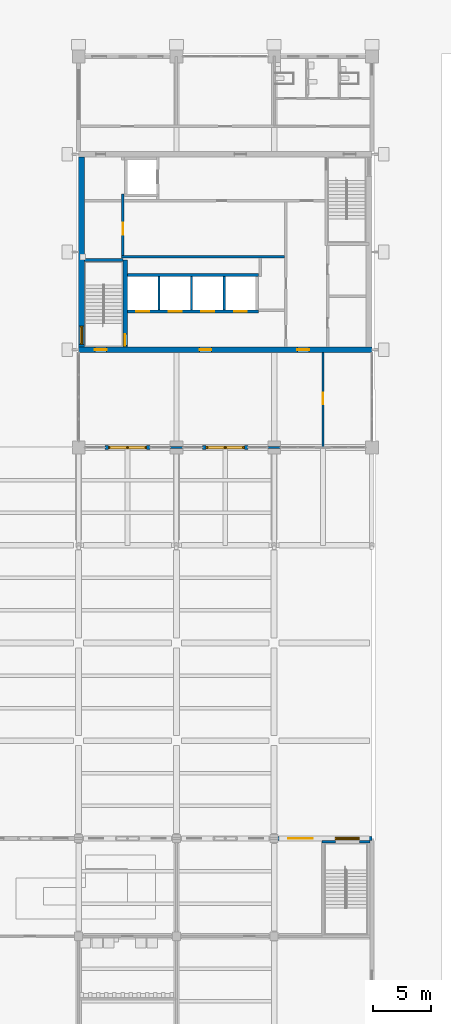
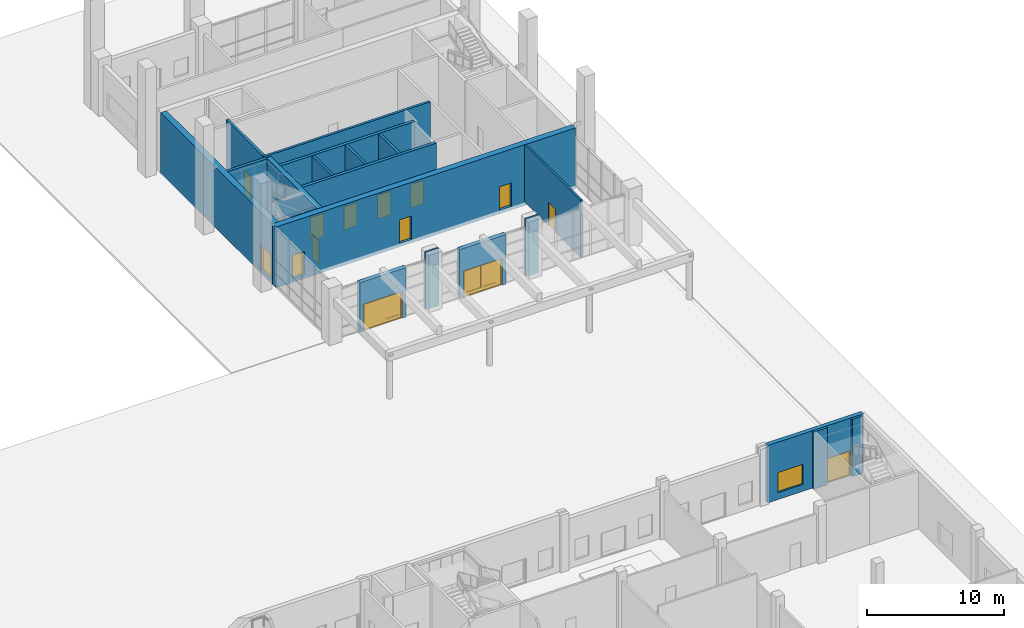
# One storey, part 38 of 74: 19 walls, 14 doors, 1 window, 15 openings.
"""IFC4 building model written with IfcOpenShell, lengths in metres."""

from ifc_helpers import new_model, si_unit, direction, frame, frame_2d, origin, place, context, subcontext, project, spatial, rectangle, extrude, material, layer, layer_set, type_object, element, fill, save


model = new_model("IFC4")

# Units and contexts
model_context = context("Model", 3, precision=1e-05, world=origin(), true_north=direction((0.0, 1.0)))
body_context = subcontext(model_context, "Body", "Model", "MODEL_VIEW")
ifc_project = project(units=[si_unit("LENGTHUNIT", "METRE"), si_unit("AREAUNIT", "SQUARE_METRE"), si_unit("VOLUMEUNIT", "CUBIC_METRE"), si_unit("PLANEANGLEUNIT", "RADIAN"), si_unit("MASSUNIT", "GRAM", prefix="KILO")], contexts=[model_context])

# Site, building, storey
site_placement = place(None, origin())
site = spatial("IfcSite", under=ifc_project, at=site_placement, CompositionType="ELEMENT")
building_placement = place(site_placement, origin())
building = spatial("IfcBuilding", under=site, at=building_placement, Name="Rulbaag Community and Learning Centre", CompositionType="ELEMENT")
storey_placement = place(building_placement, origin())
storey = spatial("IfcBuildingStorey", under=building, at=storey_placement, Name="L00", CompositionType="ELEMENT", Elevation=0.0)

# Wall, openings, door, window
ifc_material_1 = material(Name="Concrete M40", Category="concrete")
ifc_layer_1 = layer(ifc_material_1, 0.35009765625)
ifc_layer_set_1 = layer_set([ifc_layer_1], Name="EW-CONC350")
wall_type_1 = type_object("IfcWallType", Name="EW-CONC350", PredefinedType="STANDARD", material=ifc_layer_set_1)
wall_1_placement = place(storey_placement, frame((159.949951171875, 50.39990234375, 0.0), z_axis=(0.0, 0.0, 1.0), x_axis=(1.0, 0.0, 0.0)))
wall_1 = element("IfcWall", 1, at=wall_1_placement, inside=storey, type_object=wall_type_1, Name="Board-marked concrete cladding wall AN", PredefinedType="STANDARD", context=body_context, shape_type="SweptSolid", body=[
    extrude(rectangle(XDim=8.050048828125, YDim=0.35009765625, at=frame_2d((4.02490234375, 0.0))), origin(), (0.0, 0.0, 1.0), 5.10009765625),
])
opening_1_placement = place(wall_1_placement, frame((4.89990234375, 0.0, 0.0)))
opening_1 = element("IfcOpeningElement", 2, at=opening_1_placement, cuts=wall_1, Name="Opening L00-D197", PredefinedType="OPENING", context=body_context, shape_type="SweptSolid", body=[
    extrude(rectangle(XDim=2.10009765625, YDim=2.199951171875, at=frame_2d((1.050048828125, 1.10009765625))), frame((0.0, 0.18505859375, 0.0), z_axis=(0.0, -1.0, 0.0), x_axis=(1.0, 0.0, 0.0)), (0.0, 0.0, 1.0), 0.3701171875),
])
opening_2_placement = place(wall_1_placement, frame((0.875, 0.0, 0.60009765625)))
opening_2 = element("IfcOpeningElement", 3, at=opening_2_placement, cuts=wall_1, Name="Opening WN10", PredefinedType="OPENING", context=body_context, shape_type="SweptSolid", body=[
    extrude(rectangle(XDim=2.10009765625, YDim=1.800048828125, at=frame_2d((1.050048828125, 0.89990234375))), frame((0.0, 0.18505859375, 0.0), z_axis=(0.0, -1.0, 0.0), x_axis=(1.0, 0.0, 0.0)), (0.0, 0.0, 1.0), 0.3701171875),
])
ifc_material_2 = material(Name="Galvanised steel", Category="steel")
door_type_1 = type_object("IfcDoorType", Name="DX-21", OperationType="DOUBLE_DOOR_SINGLE_SWING", PredefinedType="DOOR", material=ifc_material_2)
door_1_placement = place(opening_1_placement, origin())
door_1 = element("IfcDoor", 4, at=door_1_placement, inside=storey, type_object=door_type_1, Name="Final exit G17", OperationType="SINGLE_SWING_LEFT", OverallHeight=2.199951171875, OverallWidth=2.10009765625, PredefinedType="DOOR", context=body_context, shape_type="SweptSolid", body=[
    extrude(rectangle(XDim=2.10009765625, YDim=0.012939453125, at=frame_2d((1.050048828125, 0.006591796875))), frame((0.0, 0.114990234375, 0.0), z_axis=(0.0, -1.0, 0.0), x_axis=(1.0, 0.0, 0.0)), (0.0, 0.0, 1.0), 0.22998046875),
    extrude(rectangle(XDim=0.074951171875, YDim=2.112060546875, at=frame_2d((0.03759765625, 1.069091796875))), frame((0.0, 0.125, 0.0), z_axis=(0.0, -1.0, 0.0), x_axis=(1.0, 0.0, 0.0)), (0.0, 0.0, 1.0), 0.25),
    extrude(rectangle(XDim=0.074951171875, YDim=2.112060546875, at=frame_2d((2.0625, 1.069091796875))), frame((0.0, 0.125, 0.0), z_axis=(0.0, -1.0, 0.0), x_axis=(1.0, 0.0, 0.0)), (0.0, 0.0, 1.0), 0.25),
    extrude(rectangle(XDim=2.10009765625, YDim=0.074951171875, at=frame_2d((1.050048828125, 2.16259765625))), frame((0.0, 0.114990234375, 0.0), z_axis=(0.0, -1.0, 0.0), x_axis=(1.0, 0.0, 0.0)), (0.0, 0.0, 1.0), 0.22998046875),
    extrude(rectangle(XDim=1.9501953125, YDim=2.112060546875, at=frame_2d((1.050048828125, 1.069091796875))), frame((0.0, 0.02490234375, 0.0), z_axis=(0.0, -1.0, 0.0), x_axis=(1.0, 0.0, 0.0)), (0.0, 0.0, 1.0), 0.050048828125),
])
fill(opening_1, door_1)
ifc_material_3 = material(Name="Aluminium", Category="aluminium")
window_type = type_object("IfcWindowType", Name="WN-N21", PartitioningType="DOUBLE_PANEL_VERTICAL", PredefinedType="WINDOW", material=ifc_material_3)
window_placement = place(opening_2_placement, origin())
window = element("IfcWindow", 5, at=window_placement, inside=storey, type_object=window_type, Name="Window WN10", OverallHeight=1.800048828125, OverallWidth=2.10009765625, PartitioningType="SINGLE_PANEL", PredefinedType="WINDOW", context=body_context, shape_type="SweptSolid", body=[
    extrude(rectangle(XDim=2.10009765625, YDim=1.800048828125, at=frame_2d((1.050048828125, 0.89990234375))), frame((0.0, 0.030029296875, 0.0), z_axis=(0.0, -1.0, 0.0), x_axis=(1.0, 0.0, 0.0)), (0.0, 0.0, 1.0), 0.06005859375),
])
fill(opening_2, window)

# Wall, opening, door
ifc_layer_2 = layer(ifc_material_1, 0.35009765625)
ifc_layer_set_2 = layer_set([ifc_layer_2], Name="EW-CONC350-120")
wall_type_2 = type_object("IfcWallType", Name="EW-CONC350-120", PredefinedType="STANDARD", material=ifc_layer_set_2)
wall_2_placement = place(storey_placement, frame((145.050048828125, 84.0, 0.0), z_axis=(0.0, 0.0, 1.0), x_axis=(1.0, 0.0, 0.0)))
wall_2 = element("IfcWall", 6, at=wall_2_placement, inside=storey, type_object=wall_type_2, Name="Board-marked concrete cladding wall BS", PredefinedType="STANDARD", context=body_context, shape_type="SweptSolid", body=[
    extrude(rectangle(XDim=3.89990234375, YDim=0.35009765625, at=frame_2d((1.949951171875, 0.0))), origin(), (0.0, 0.0, 1.0), 4.39990234375),
])
opening_3_placement = place(wall_2_placement, frame((3.60009765625, 0.0, 0.0), z_axis=(0.0, 0.0, 1.0), x_axis=(-1.0, 0.0, 0.0)))
opening_3 = element("IfcOpeningElement", 7, at=opening_3_placement, cuts=wall_2, Name="Opening L00-D135", PredefinedType="OPENING", context=body_context, shape_type="SweptSolid", body=[
    extrude(rectangle(XDim=3.300048828125, YDim=2.39990234375, at=frame_2d((1.64990234375, 1.199951171875))), frame((0.0, 0.18505859375, 0.0), z_axis=(0.0, -1.0, 0.0), x_axis=(1.0, 0.0, 0.0)), (0.0, 0.0, 1.0), 0.3701171875),
])
door_type_2 = type_object("IfcDoorType", Name="DE-33", OperationType="DOUBLE_DOOR_SINGLE_SWING", PredefinedType="DOOR", material=ifc_material_3)
door_2_placement = place(opening_3_placement, origin())
door_2 = element("IfcDoor", 8, at=door_2_placement, inside=storey, type_object=door_type_2, Name="Main entrance E2", OperationType="SINGLE_SWING_LEFT", OverallHeight=2.39990234375, OverallWidth=3.300048828125, PredefinedType="DOOR", context=body_context, shape_type="SweptSolid", body=[
    extrude(rectangle(XDim=3.300048828125, YDim=0.012939453125, at=frame_2d((1.64990234375, 0.006591796875))), frame((0.0, 0.114990234375, 0.0), z_axis=(0.0, -1.0, 0.0), x_axis=(1.0, 0.0, 0.0)), (0.0, 0.0, 1.0), 0.22998046875),
    extrude(rectangle(XDim=0.074951171875, YDim=2.31201171875, at=frame_2d((0.03759765625, 1.1689453125))), frame((0.0, 0.125, 0.0), z_axis=(0.0, -1.0, 0.0), x_axis=(1.0, 0.0, 0.0)), (0.0, 0.0, 1.0), 0.25),
    extrude(rectangle(XDim=0.074951171875, YDim=2.31201171875, at=frame_2d((3.2626953125, 1.1689453125))), frame((0.0, 0.125, 0.0), z_axis=(0.0, -1.0, 0.0), x_axis=(1.0, 0.0, 0.0)), (0.0, 0.0, 1.0), 0.25),
    extrude(rectangle(XDim=3.300048828125, YDim=0.074951171875, at=frame_2d((1.64990234375, 2.3623046875))), frame((0.0, 0.114990234375, 0.0), z_axis=(0.0, -1.0, 0.0), x_axis=(1.0, 0.0, 0.0)), (0.0, 0.0, 1.0), 0.22998046875),
    extrude(rectangle(XDim=3.150146484375, YDim=0.300048828125, at=frame_2d((1.64990234375, 0.1630859375))), frame((0.0, 0.02001953125, 0.0), z_axis=(0.0, -1.0, 0.0), x_axis=(1.0, 0.0, 0.0)), (0.0, 0.0, 1.0), 0.0400390625),
    extrude(rectangle(XDim=3.150146484375, YDim=0.1201171875, at=frame_2d((1.64990234375, 2.264892578125))), frame((0.0, 0.02001953125, 0.0), z_axis=(0.0, -1.0, 0.0), x_axis=(1.0, 0.0, 0.0)), (0.0, 0.0, 1.0), 0.0400390625),
    extrude(rectangle(XDim=0.090087890625, YDim=1.891845703125, at=frame_2d((0.119873046875, 1.259033203125))), frame((0.0, 0.02490234375, 0.0), z_axis=(0.0, -1.0, 0.0), x_axis=(1.0, 0.0, 0.0)), (0.0, 0.0, 1.0), 0.050048828125),
    extrude(rectangle(XDim=0.179931640625, YDim=1.891845703125, at=frame_2d((1.64990234375, 1.259033203125))), frame((0.0, 0.02490234375, 0.0), z_axis=(0.0, -1.0, 0.0), x_axis=(1.0, 0.0, 0.0)), (0.0, 0.0, 1.0), 0.050048828125),
    extrude(rectangle(XDim=0.090087890625, YDim=1.891845703125, at=frame_2d((3.18017578125, 1.259033203125))), frame((0.0, 0.02490234375, 0.0), z_axis=(0.0, -1.0, 0.0), x_axis=(1.0, 0.0, 0.0)), (0.0, 0.0, 1.0), 0.050048828125),
    extrude(rectangle(XDim=1.39501953125, YDim=1.891845703125, at=frame_2d((0.862548828125, 1.259033203125))), frame((0.0, 0.011962890625, 0.0), z_axis=(0.0, -1.0, 0.0), x_axis=(1.0, 0.0, 0.0)), (0.0, 0.0, 1.0), 0.02392578125),
    extrude(rectangle(XDim=1.39501953125, YDim=1.891845703125, at=frame_2d((2.4375, 1.259033203125))), frame((0.0, 0.011962890625, 0.0), z_axis=(0.0, -1.0, 0.0), x_axis=(1.0, 0.0, 0.0)), (0.0, 0.0, 1.0), 0.02392578125),
])
fill(opening_3, door_2)

wall_3_placement = place(storey_placement, frame((153.449951171875, 84.0, 0.0), z_axis=(0.0, 0.0, 1.0), x_axis=(1.0, 0.0, 0.0)))
wall_3 = element("IfcWall", 9, at=wall_3_placement, inside=storey, type_object=wall_type_2, Name="Board-marked concrete cladding wall BS", PredefinedType="STANDARD", context=body_context, shape_type="SweptSolid", body=[
    extrude(rectangle(XDim=3.900146484375, YDim=0.35009765625, at=frame_2d((1.9501953125, 0.0))), origin(), (0.0, 0.0, 1.0), 4.39990234375),
])
opening_4_placement = place(wall_3_placement, frame((3.60009765625, 0.0, 0.0), z_axis=(0.0, 0.0, 1.0), x_axis=(-1.0, 0.0, 0.0)))
opening_4 = element("IfcOpeningElement", 10, at=opening_4_placement, cuts=wall_3, Name="Opening L00-D158", PredefinedType="OPENING", context=body_context, shape_type="SweptSolid", body=[
    extrude(rectangle(XDim=3.300048828125, YDim=2.39990234375, at=frame_2d((1.64990234375, 1.199951171875))), frame((0.0, 0.18505859375, 0.0), z_axis=(0.0, -1.0, 0.0), x_axis=(1.0, 0.0, 0.0)), (0.0, 0.0, 1.0), 0.3701171875),
])
door_3_placement = place(opening_4_placement, origin())
door_3 = element("IfcDoor", 11, at=door_3_placement, inside=storey, type_object=door_type_2, Name="Main entrance E1", OperationType="SINGLE_SWING_LEFT", OverallHeight=2.39990234375, OverallWidth=3.300048828125, PredefinedType="DOOR", context=body_context, shape_type="SweptSolid", body=[
    extrude(rectangle(XDim=3.300048828125, YDim=0.012939453125, at=frame_2d((1.64990234375, 0.006591796875))), frame((0.0, 0.114990234375, 0.0), z_axis=(0.0, -1.0, 0.0), x_axis=(1.0, 0.0, 0.0)), (0.0, 0.0, 1.0), 0.22998046875),
    extrude(rectangle(XDim=0.074951171875, YDim=2.31201171875, at=frame_2d((0.03759765625, 1.1689453125))), frame((0.0, 0.125, 0.0), z_axis=(0.0, -1.0, 0.0), x_axis=(1.0, 0.0, 0.0)), (0.0, 0.0, 1.0), 0.25),
    extrude(rectangle(XDim=0.074951171875, YDim=2.31201171875, at=frame_2d((3.2626953125, 1.1689453125))), frame((0.0, 0.125, 0.0), z_axis=(0.0, -1.0, 0.0), x_axis=(1.0, 0.0, 0.0)), (0.0, 0.0, 1.0), 0.25),
    extrude(rectangle(XDim=3.300048828125, YDim=0.074951171875, at=frame_2d((1.64990234375, 2.3623046875))), frame((0.0, 0.114990234375, 0.0), z_axis=(0.0, -1.0, 0.0), x_axis=(1.0, 0.0, 0.0)), (0.0, 0.0, 1.0), 0.22998046875),
    extrude(rectangle(XDim=3.150146484375, YDim=0.300048828125, at=frame_2d((1.64990234375, 0.1630859375))), frame((0.0, 0.02001953125, 0.0), z_axis=(0.0, -1.0, 0.0), x_axis=(1.0, 0.0, 0.0)), (0.0, 0.0, 1.0), 0.0400390625),
    extrude(rectangle(XDim=3.150146484375, YDim=0.1201171875, at=frame_2d((1.64990234375, 2.264892578125))), frame((0.0, 0.02001953125, 0.0), z_axis=(0.0, -1.0, 0.0), x_axis=(1.0, 0.0, 0.0)), (0.0, 0.0, 1.0), 0.0400390625),
    extrude(rectangle(XDim=0.090087890625, YDim=1.891845703125, at=frame_2d((0.119873046875, 1.259033203125))), frame((0.0, 0.02490234375, 0.0), z_axis=(0.0, -1.0, 0.0), x_axis=(1.0, 0.0, 0.0)), (0.0, 0.0, 1.0), 0.050048828125),
    extrude(rectangle(XDim=0.179931640625, YDim=1.891845703125, at=frame_2d((1.64990234375, 1.259033203125))), frame((0.0, 0.02490234375, 0.0), z_axis=(0.0, -1.0, 0.0), x_axis=(1.0, 0.0, 0.0)), (0.0, 0.0, 1.0), 0.050048828125),
    extrude(rectangle(XDim=0.090087890625, YDim=1.891845703125, at=frame_2d((3.18017578125, 1.259033203125))), frame((0.0, 0.02490234375, 0.0), z_axis=(0.0, -1.0, 0.0), x_axis=(1.0, 0.0, 0.0)), (0.0, 0.0, 1.0), 0.050048828125),
    extrude(rectangle(XDim=1.39501953125, YDim=1.891845703125, at=frame_2d((0.862548828125, 1.259033203125))), frame((0.0, 0.011962890625, 0.0), z_axis=(0.0, -1.0, 0.0), x_axis=(1.0, 0.0, 0.0)), (0.0, 0.0, 1.0), 0.02392578125),
    extrude(rectangle(XDim=1.39501953125, YDim=1.891845703125, at=frame_2d((2.4375, 1.259033203125))), frame((0.0, 0.011962890625, 0.0), z_axis=(0.0, -1.0, 0.0), x_axis=(1.0, 0.0, 0.0)), (0.0, 0.0, 1.0), 0.02392578125),
])
fill(opening_4, door_3)

# Wall
ifc_material_4 = material(Name="Concrete blockwork", Category="masonry")
ifc_layer_3 = layer(ifc_material_4, 0.199951171875)
ifc_layer_set_3 = layer_set([ifc_layer_3], Name="FW-200 FIRE WALL 200")
wall_type_3 = type_object("IfcWallType", Name="FW-200 FIRE WALL 200", PredefinedType="SOLIDWALL", material=ifc_layer_set_3)
wall_4_placement = place(storey_placement, frame((146.5, 100.39990234375, 0.0), z_axis=(0.0, 0.0, 1.0), x_axis=(1.0, 0.0, 0.0)))
element("IfcWall", 12, at=wall_4_placement, inside=storey, type_object=wall_type_3, Name="Fire wall L00 51", PredefinedType="SOLIDWALL", context=body_context, shape_type="SweptSolid", body=[
    extrude(rectangle(XDim=14.0, YDim=0.199951171875, at=frame_2d((7.0, 0.0))), origin(), (0.0, 0.0, 1.0), 5.10009765625),
])

# Wall, opening, door
wall_5_placement = place(storey_placement, frame((146.60009765625, 100.5, 0.0), z_axis=(0.0, 0.0, 1.0), x_axis=(0.0, 1.0, 0.0)))
wall_5 = element("IfcWall", 13, at=wall_5_placement, inside=storey, type_object=wall_type_3, Name="Fire wall L00 99", PredefinedType="SOLIDWALL", context=body_context, shape_type="SweptSolid", body=[
    extrude(rectangle(XDim=5.300048828125, YDim=0.199951171875, at=frame_2d((2.64990234375, 0.0))), origin(), (0.0, 0.0, 1.0), 5.10009765625),
])
opening_5_placement = place(wall_5_placement, frame((1.800048828125, 0.0, 0.0)))
opening_5 = element("IfcOpeningElement", 14, at=opening_5_placement, cuts=wall_5, Name="Opening L00-D130", PredefinedType="OPENING", context=body_context, shape_type="SweptSolid", body=[
    extrude(rectangle(XDim=1.0, YDim=2.10009765625, at=frame_2d((0.5, 1.050048828125))), frame((0.0, 0.10986328125, 0.0), z_axis=(0.0, -1.0, 0.0), x_axis=(1.0, 0.0, 0.0)), (0.0, 0.0, 1.0), 0.219970703125),
])
door_type_3 = type_object("IfcDoorType", Name="FD-1000 FIRE DOOR 1000 x 2100", OperationType="SINGLE_SWING_LEFT", PredefinedType="DOOR", material=ifc_material_2)
door_4_placement = place(opening_5_placement, origin())
door_4 = element("IfcDoor", 15, at=door_4_placement, inside=storey, type_object=door_type_3, Name="Door L00-D130", OperationType="SINGLE_SWING_LEFT", OverallHeight=2.10009765625, OverallWidth=1.0, PredefinedType="DOOR", context=body_context, shape_type="SweptSolid", body=[
    extrude(rectangle(XDim=1.0, YDim=2.10009765625, at=frame_2d((0.5, 1.050048828125))), frame((0.0, 0.02490234375, 0.0), z_axis=(0.0, -1.0, 0.0), x_axis=(1.0, 0.0, 0.0)), (0.0, 0.0, 1.0), 0.050048828125),
])
fill(opening_5, door_4)

# Walls
ifc_layer_4 = layer(ifc_material_4, 0.14990234375)
ifc_layer_set_4 = layer_set([ifc_layer_4], Name="IP-150 PARTITION 150")
wall_type_4 = type_object("IfcWallType", Name="IP-150 PARTITION 150", PredefinedType="PARTITIONING", material=ifc_layer_set_4)
wall_6_placement = place(storey_placement, frame((150.64990234375, 84.0, 0.0), z_axis=(0.0, 0.0, 1.0), x_axis=(1.0, 0.0, 0.0)))
element("IfcWall", 16, at=wall_6_placement, inside=storey, type_object=wall_type_4, Name="Partition L00 45", PredefinedType="PARTITIONING", context=body_context, shape_type="SweptSolid", body=[
    extrude(rectangle(XDim=1.10009765625, YDim=0.14990234375, at=frame_2d((0.550048828125, 0.0))), origin(), (0.0, 0.0, 1.0), 5.10009765625),
])
wall_7_placement = place(storey_placement, frame((159.050048828125, 84.0, 0.0), z_axis=(0.0, 0.0, 1.0), x_axis=(1.0, 0.0, 0.0)))
element("IfcWall", 17, at=wall_7_placement, inside=storey, type_object=wall_type_4, Name="Partition L00 46", PredefinedType="PARTITIONING", context=body_context, shape_type="SweptSolid", body=[
    extrude(rectangle(XDim=1.099853515625, YDim=0.14990234375, at=frame_2d((0.5498046875, 0.0))), origin(), (0.0, 0.0, 1.0), 5.10009765625),
])

# Wall, opening, door
wall_8_placement = place(storey_placement, frame((163.800048828125, 84.0, 0.0), z_axis=(0.0, 0.0, 1.0), x_axis=(0.0, 1.0, 0.0)))
wall_8 = element("IfcWall", 18, at=wall_8_placement, inside=storey, type_object=wall_type_4, Name="Partition L00 114", PredefinedType="PARTITIONING", context=body_context, shape_type="SweptSolid", body=[
    extrude(rectangle(XDim=8.14990234375, YDim=0.14990234375, at=frame_2d((4.074951171875, 0.0))), origin(), (0.0, 0.0, 1.0), 5.10009765625),
])
opening_6_placement = place(wall_8_placement, frame((3.699951171875, 0.0, 0.0)))
opening_6 = element("IfcOpeningElement", 19, at=opening_6_placement, cuts=wall_8, Name="Opening L00-D189", PredefinedType="OPENING", context=body_context, shape_type="SweptSolid", body=[
    extrude(rectangle(XDim=1.0, YDim=2.10009765625, at=frame_2d((0.5, 1.050048828125))), frame((0.0, 0.0849609375, 0.0), z_axis=(0.0, -1.0, 0.0), x_axis=(1.0, 0.0, 0.0)), (0.0, 0.0, 1.0), 0.169921875),
])
ifc_material_5 = material(Name="Timber", Category="wood")
door_type_4 = type_object("IfcDoorType", Name="D-1000 DOOR 1000 x 2100", OperationType="SINGLE_SWING_LEFT", PredefinedType="DOOR", material=ifc_material_5)
door_5_placement = place(opening_6_placement, origin())
door_5 = element("IfcDoor", 20, at=door_5_placement, inside=storey, type_object=door_type_4, Name="Door L00-D189", OperationType="SINGLE_SWING_RIGHT", OverallHeight=2.10009765625, OverallWidth=1.0, PredefinedType="DOOR", context=body_context, shape_type="SweptSolid", body=[
    extrude(rectangle(XDim=1.0, YDim=2.10009765625, at=frame_2d((0.5, 1.050048828125))), frame((0.0, 0.02490234375, 0.0), z_axis=(0.0, -1.0, 0.0), x_axis=(1.0, 0.0, 0.0)), (0.0, 0.0, 1.0), 0.050048828125),
])
fill(opening_6, door_5)

# Wall, openings, doors
ifc_material_6 = material(Name="Concrete M60", Category="concrete")
ifc_layer_5 = layer(ifc_material_6, 0.5)
ifc_layer_set_5 = layer_set([ifc_layer_5], Name="W4 Core wall 500 Concrete M60")
wall_type_5 = type_object("IfcWallType", Name="W4 Core wall 500 Concrete M60", PredefinedType="SHEAR", material=ifc_layer_set_5)
wall_9_placement = place(storey_placement, frame((142.800048828125, 92.39990234375, -0.300048828125), z_axis=(0.0, 0.0, 1.0), x_axis=(1.0, 0.0, 0.0)))
wall_9 = element("IfcWall", 21, at=wall_9_placement, inside=storey, type_object=wall_type_5, Name="WL-CORE-S-L00", PredefinedType="SHEAR", context=body_context, shape_type="SweptSolid", body=[
    extrude(rectangle(XDim=25.199951171875, YDim=0.5, at=frame_2d((12.60009765625, 0.0))), origin(), (0.0, 0.0, 1.0), 5.400146484375),
])
opening_7_placement = place(wall_9_placement, frame((1.39990234375, 0.0, 0.300048828125)))
opening_7 = element("IfcOpeningElement", 22, at=opening_7_placement, cuts=wall_9, Name="Opening L00-D128", PredefinedType="OPENING", context=body_context, shape_type="SweptSolid", body=[
    extrude(rectangle(XDim=1.0, YDim=2.10009765625, at=frame_2d((0.5, 1.050048828125))), frame((0.0, 0.260009765625, 0.0), z_axis=(0.0, -1.0, 0.0), x_axis=(1.0, 0.0, 0.0)), (0.0, 0.0, 1.0), 0.52001953125),
])
opening_8_placement = place(wall_9_placement, frame((10.39990234375, 0.0, 0.300048828125)))
opening_8 = element("IfcOpeningElement", 23, at=opening_8_placement, cuts=wall_9, Name="Opening L00-D150", PredefinedType="OPENING", context=body_context, shape_type="SweptSolid", body=[
    extrude(rectangle(XDim=1.0, YDim=2.10009765625, at=frame_2d((0.5, 1.050048828125))), frame((0.0, 0.260009765625, 0.0), z_axis=(0.0, -1.0, 0.0), x_axis=(1.0, 0.0, 0.0)), (0.0, 0.0, 1.0), 0.52001953125),
])
opening_9_placement = place(wall_9_placement, frame((18.800048828125, 0.0, 0.300048828125)))
opening_9 = element("IfcOpeningElement", 24, at=opening_9_placement, cuts=wall_9, Name="Opening L00-D186", PredefinedType="OPENING", context=body_context, shape_type="SweptSolid", body=[
    extrude(rectangle(XDim=1.0, YDim=2.10009765625, at=frame_2d((0.5, 1.050048828125))), frame((0.0, 0.260009765625, 0.0), z_axis=(0.0, -1.0, 0.0), x_axis=(1.0, 0.0, 0.0)), (0.0, 0.0, 1.0), 0.52001953125),
])
door_6_placement = place(opening_9_placement, origin())
door_6 = element("IfcDoor", 25, at=door_6_placement, inside=storey, type_object=door_type_4, Name="Door L00-D186", OperationType="SINGLE_SWING_RIGHT", OverallHeight=2.10009765625, OverallWidth=1.0, PredefinedType="DOOR", context=body_context, shape_type="SweptSolid", body=[
    extrude(rectangle(XDim=1.0, YDim=2.10009765625, at=frame_2d((0.5, 1.050048828125))), frame((0.0, 0.02490234375, 0.0), z_axis=(0.0, -1.0, 0.0), x_axis=(1.0, 0.0, 0.0)), (0.0, 0.0, 1.0), 0.050048828125),
])
fill(opening_9, door_6)
door_7_placement = place(opening_7_placement, origin())
door_7 = element("IfcDoor", 26, at=door_7_placement, inside=storey, type_object=door_type_3, Name="Door L00-D128", OperationType="SINGLE_SWING_RIGHT", OverallHeight=2.10009765625, OverallWidth=1.0, PredefinedType="DOOR", context=body_context, shape_type="SweptSolid", body=[
    extrude(rectangle(XDim=1.0, YDim=2.10009765625, at=frame_2d((0.5, 1.050048828125))), frame((0.0, 0.02490234375, 0.0), z_axis=(0.0, -1.0, 0.0), x_axis=(1.0, 0.0, 0.0)), (0.0, 0.0, 1.0), 0.050048828125),
])
fill(opening_7, door_7)
door_8_placement = place(opening_8_placement, origin())
door_8 = element("IfcDoor", 27, at=door_8_placement, inside=storey, type_object=door_type_3, Name="Door L00-D150", OperationType="SINGLE_SWING_RIGHT", OverallHeight=2.10009765625, OverallWidth=1.0, PredefinedType="DOOR", context=body_context, shape_type="SweptSolid", body=[
    extrude(rectangle(XDim=1.0, YDim=2.10009765625, at=frame_2d((0.5, 1.050048828125))), frame((0.0, 0.02490234375, 0.0), z_axis=(0.0, -1.0, 0.0), x_axis=(1.0, 0.0, 0.0)), (0.0, 0.0, 1.0), 0.050048828125),
])
fill(opening_8, door_8)

# Wall, opening, door
wall_10_placement = place(storey_placement, frame((143.050048828125, 92.64990234375, -0.300048828125), z_axis=(0.0, 0.0, 1.0), x_axis=(0.0, 1.0, 0.0)))
wall_10 = element("IfcWall", 28, at=wall_10_placement, inside=storey, type_object=wall_type_5, Name="WL-CORE-W-L00", PredefinedType="SHEAR", context=body_context, shape_type="SweptSolid", body=[
    extrude(rectangle(XDim=16.300048828125, YDim=0.5, at=frame_2d((8.14990234375, 0.0))), origin(), (0.0, 0.0, 1.0), 5.400146484375),
])
opening_10_placement = place(wall_10_placement, frame((0.199951171875, 0.0, 0.300048828125)))
opening_10 = element("IfcOpeningElement", 29, at=opening_10_placement, cuts=wall_10, Name="Opening L00-D126", PredefinedType="OPENING", context=body_context, shape_type="SweptSolid", body=[
    extrude(rectangle(XDim=1.60009765625, YDim=2.199951171875, at=frame_2d((0.800048828125, 1.10009765625))), frame((0.0, 0.260009765625, 0.0), z_axis=(0.0, -1.0, 0.0), x_axis=(1.0, 0.0, 0.0)), (0.0, 0.0, 1.0), 0.52001953125),
])
door_type_5 = type_object("IfcDoorType", Name="DX-16", OperationType="DOUBLE_DOOR_SINGLE_SWING", PredefinedType="DOOR", material=ifc_material_2)
door_9_placement = place(opening_10_placement, origin())
door_9 = element("IfcDoor", 30, at=door_9_placement, inside=storey, type_object=door_type_5, Name="Final exit G29", OperationType="SINGLE_SWING_LEFT", OverallHeight=2.199951171875, OverallWidth=1.60009765625, PredefinedType="DOOR", context=body_context, shape_type="SweptSolid", body=[
    extrude(rectangle(XDim=1.60009765625, YDim=0.012939453125, at=frame_2d((0.800048828125, 0.006591796875))), frame((0.0, 0.114990234375, 0.0), z_axis=(0.0, -1.0, 0.0), x_axis=(1.0, 0.0, 0.0)), (0.0, 0.0, 1.0), 0.22998046875),
    extrude(rectangle(XDim=0.074951171875, YDim=2.112060546875, at=frame_2d((0.03759765625, 1.069091796875))), frame((0.0, 0.125, 0.0), z_axis=(0.0, -1.0, 0.0), x_axis=(1.0, 0.0, 0.0)), (0.0, 0.0, 1.0), 0.25),
    extrude(rectangle(XDim=0.074951171875, YDim=2.112060546875, at=frame_2d((1.5625, 1.069091796875))), frame((0.0, 0.125, 0.0), z_axis=(0.0, -1.0, 0.0), x_axis=(1.0, 0.0, 0.0)), (0.0, 0.0, 1.0), 0.25),
    extrude(rectangle(XDim=1.60009765625, YDim=0.074951171875, at=frame_2d((0.800048828125, 2.16259765625))), frame((0.0, 0.114990234375, 0.0), z_axis=(0.0, -1.0, 0.0), x_axis=(1.0, 0.0, 0.0)), (0.0, 0.0, 1.0), 0.22998046875),
    extrude(rectangle(XDim=1.4501953125, YDim=2.112060546875, at=frame_2d((0.800048828125, 1.069091796875))), frame((0.0, 0.02490234375, 0.0), z_axis=(0.0, -1.0, 0.0), x_axis=(1.0, 0.0, 0.0)), (0.0, 0.0, 1.0), 0.050048828125),
])
fill(opening_10, door_9)

# Wall
ifc_layer_6 = layer(ifc_material_1, 0.25)
ifc_layer_set_6 = layer_set([ifc_layer_6], Name="W5 Shaft wall 250 Concrete M40")
wall_type_6 = type_object("IfcWallType", Name="W5 Shaft wall 250 Concrete M40", PredefinedType="SHEAR", material=ifc_layer_set_6)
wall_11_placement = place(storey_placement, frame((143.300048828125, 100.125, -0.300048828125), z_axis=(0.0, 0.0, 1.0), x_axis=(1.0, 0.0, 0.0)))
element("IfcWall", 31, at=wall_11_placement, inside=storey, type_object=wall_type_6, Name="WL-ST1-N-L00", PredefinedType="SHEAR", context=body_context, shape_type="SweptSolid", body=[
    extrude(rectangle(XDim=3.300048828125, YDim=0.25, at=frame_2d((1.64990234375, 0.0))), origin(), (0.0, 0.0, 1.0), 5.400146484375),
])

# Wall, openings, doors
wall_12_placement = place(storey_placement, frame((147.0, 95.675048828125, -0.300048828125), z_axis=(0.0, 0.0, 1.0), x_axis=(1.0, 0.0, 0.0)))
wall_12 = element("IfcWall", 32, at=wall_12_placement, inside=storey, type_object=wall_type_6, Name="WL-LP-S-L00", PredefinedType="SHEAR", context=body_context, shape_type="SweptSolid", body=[
    extrude(rectangle(XDim=11.25, YDim=0.25, at=frame_2d((5.625, 0.0))), origin(), (0.0, 0.0, 1.0), 5.400146484375),
])
opening_11_placement = place(wall_12_placement, frame((0.75, 0.0, 0.300048828125)))
opening_11 = element("IfcOpeningElement", 33, at=opening_11_placement, cuts=wall_12, Name="Opening L00-D138", PredefinedType="OPENING", context=body_context, shape_type="SweptSolid", body=[
    extrude(rectangle(XDim=1.10009765625, YDim=2.10009765625, at=frame_2d((0.550048828125, 1.050048828125))), frame((0.0, 0.135009765625, 0.0), z_axis=(0.0, -1.0, 0.0), x_axis=(1.0, 0.0, 0.0)), (0.0, 0.0, 1.0), 0.27001953125),
])
opening_12_placement = place(wall_12_placement, frame((3.550048828125, 0.0, 0.300048828125)))
opening_12 = element("IfcOpeningElement", 34, at=opening_12_placement, cuts=wall_12, Name="Opening L00-D140", PredefinedType="OPENING", context=body_context, shape_type="SweptSolid", body=[
    extrude(rectangle(XDim=1.10009765625, YDim=2.10009765625, at=frame_2d((0.550048828125, 1.050048828125))), frame((0.0, 0.135009765625, 0.0), z_axis=(0.0, -1.0, 0.0), x_axis=(1.0, 0.0, 0.0)), (0.0, 0.0, 1.0), 0.27001953125),
])
opening_13_placement = place(wall_12_placement, frame((6.35009765625, 0.0, 0.300048828125)))
opening_13 = element("IfcOpeningElement", 35, at=opening_13_placement, cuts=wall_12, Name="Opening L00-D151", PredefinedType="OPENING", context=body_context, shape_type="SweptSolid", body=[
    extrude(rectangle(XDim=1.10009765625, YDim=2.10009765625, at=frame_2d((0.550048828125, 1.050048828125))), frame((0.0, 0.135009765625, 0.0), z_axis=(0.0, -1.0, 0.0), x_axis=(1.0, 0.0, 0.0)), (0.0, 0.0, 1.0), 0.27001953125),
])
opening_14_placement = place(wall_12_placement, frame((9.14990234375, 0.0, 0.300048828125)))
opening_14 = element("IfcOpeningElement", 36, at=opening_14_placement, cuts=wall_12, Name="Opening L00-D160", PredefinedType="OPENING", context=body_context, shape_type="SweptSolid", body=[
    extrude(rectangle(XDim=1.10009765625, YDim=2.10009765625, at=frame_2d((0.550048828125, 1.050048828125))), frame((0.0, 0.135009765625, 0.0), z_axis=(0.0, -1.0, 0.0), x_axis=(1.0, 0.0, 0.0)), (0.0, 0.0, 1.0), 0.27001953125),
])
ifc_material_7 = material(Name="Stainless steel grade 304", Category="steel")
door_type_6 = type_object("IfcDoorType", Name="LD-1100 LIFT LANDING DOOR 1100 x 2100", OperationType="SLIDING_TO_LEFT", PredefinedType="DOOR", material=ifc_material_7)
door_10_placement = place(opening_11_placement, origin())
door_10 = element("IfcDoor", 37, at=door_10_placement, inside=storey, type_object=door_type_6, Name="Lift landing door LP1 L00", OperationType="SLIDING_TO_LEFT", OverallHeight=2.10009765625, OverallWidth=1.10009765625, PredefinedType="DOOR", context=body_context, shape_type="SweptSolid", body=[
    extrude(rectangle(XDim=1.10009765625, YDim=2.10009765625, at=frame_2d((0.550048828125, 1.050048828125))), frame((0.0, 0.02490234375, 0.0), z_axis=(0.0, -1.0, 0.0), x_axis=(1.0, 0.0, 0.0)), (0.0, 0.0, 1.0), 0.050048828125),
])
fill(opening_11, door_10)
door_11_placement = place(opening_12_placement, origin())
door_11 = element("IfcDoor", 38, at=door_11_placement, inside=storey, type_object=door_type_6, Name="Lift landing door LP2 L00", OperationType="SLIDING_TO_LEFT", OverallHeight=2.10009765625, OverallWidth=1.10009765625, PredefinedType="DOOR", context=body_context, shape_type="SweptSolid", body=[
    extrude(rectangle(XDim=1.10009765625, YDim=2.10009765625, at=frame_2d((0.550048828125, 1.050048828125))), frame((0.0, 0.02490234375, 0.0), z_axis=(0.0, -1.0, 0.0), x_axis=(1.0, 0.0, 0.0)), (0.0, 0.0, 1.0), 0.050048828125),
])
fill(opening_12, door_11)
door_12_placement = place(opening_13_placement, origin())
door_12 = element("IfcDoor", 39, at=door_12_placement, inside=storey, type_object=door_type_6, Name="Lift landing door LP3 L00", OperationType="SLIDING_TO_LEFT", OverallHeight=2.10009765625, OverallWidth=1.10009765625, PredefinedType="DOOR", context=body_context, shape_type="SweptSolid", body=[
    extrude(rectangle(XDim=1.10009765625, YDim=2.10009765625, at=frame_2d((0.550048828125, 1.050048828125))), frame((0.0, 0.02490234375, 0.0), z_axis=(0.0, -1.0, 0.0), x_axis=(1.0, 0.0, 0.0)), (0.0, 0.0, 1.0), 0.050048828125),
])
fill(opening_13, door_12)
door_13_placement = place(opening_14_placement, origin())
door_13 = element("IfcDoor", 40, at=door_13_placement, inside=storey, type_object=door_type_6, Name="Lift landing door LP4 L00", OperationType="SLIDING_TO_LEFT", OverallHeight=2.10009765625, OverallWidth=1.10009765625, PredefinedType="DOOR", context=body_context, shape_type="SweptSolid", body=[
    extrude(rectangle(XDim=1.10009765625, YDim=2.10009765625, at=frame_2d((0.550048828125, 1.050048828125))), frame((0.0, 0.02490234375, 0.0), z_axis=(0.0, -1.0, 0.0), x_axis=(1.0, 0.0, 0.0)), (0.0, 0.0, 1.0), 0.050048828125),
])
fill(opening_14, door_13)

# Walls
wall_13_placement = place(storey_placement, frame((147.0, 98.824951171875, -0.300048828125), z_axis=(0.0, 0.0, 1.0), x_axis=(1.0, 0.0, 0.0)))
element("IfcWall", 41, at=wall_13_placement, inside=storey, type_object=wall_type_6, Name="WL-LP-N-L00", PredefinedType="SHEAR", context=body_context, shape_type="SweptSolid", body=[
    extrude(rectangle(XDim=11.25, YDim=0.25, at=frame_2d((5.625, 0.0))), origin(), (0.0, 0.0, 1.0), 5.400146484375),
])
ifc_layer_7 = layer(ifc_material_1, 0.199951171875)
ifc_layer_set_7 = layer_set([ifc_layer_7], Name="W6 Shaft divider 200 Concrete M40")
wall_type_7 = type_object("IfcWallType", Name="W6 Shaft divider 200 Concrete M40", PredefinedType="SHEAR", material=ifc_layer_set_7)
for number, where, z_axis, x_axis, name in (
    (42, (149.699951171875, 95.800048828125, -0.300048828125), (0.0, 0.0, 1.0), (0.0, 1.0, 0.0), "WL-LP-D1-L00"),
    (43, (152.5, 95.800048828125, -0.300048828125), (0.0, 0.0, 1.0), (0.0, 1.0, 0.0), "WL-LP-D2-L00"),
    (44, (155.300048828125, 95.800048828125, -0.300048828125), (0.0, 0.0, 1.0), (0.0, 1.0, 0.0), "WL-LP-D3-L00"),
):
    element("IfcWall", number, at=place(storey_placement, frame(where, z_axis=z_axis, x_axis=x_axis)), inside=storey, type_object=wall_type_7, Name=name, PredefinedType="SHEAR", context=body_context, shape_type="SweptSolid", body=[
        extrude(rectangle(XDim=2.89990234375, YDim=0.199951171875, at=frame_2d((1.449951171875, 0.0))), origin(), (0.0, 0.0, 1.0), 5.400146484375),
    ])

# Wall, opening, door
ifc_layer_8 = layer(ifc_material_1, 0.39990234375)
ifc_layer_set_8 = layer_set([ifc_layer_8], Name="W7 Stair wall 400 Concrete M40")
wall_type_8 = type_object("IfcWallType", Name="W7 Stair wall 400 Concrete M40", PredefinedType="SHEAR", material=ifc_layer_set_8)
wall_14_placement = place(storey_placement, frame((146.800048828125, 92.64990234375, -0.300048828125), z_axis=(0.0, 0.0, 1.0), x_axis=(0.0, 1.0, 0.0)))
wall_14 = element("IfcWall", 45, at=wall_14_placement, inside=storey, type_object=wall_type_8, Name="WL-ST1-E-L00", PredefinedType="SHEAR", context=body_context, shape_type="SweptSolid", body=[
    extrude(rectangle(XDim=7.47509765625, YDim=0.39990234375, at=frame_2d((3.737548828125, 0.0))), origin(), (0.0, 0.0, 1.0), 5.400146484375),
])
opening_15_placement = place(wall_14_placement, frame((0.10009765625, 0.0, 0.300048828125)))
opening_15 = element("IfcOpeningElement", 46, at=opening_15_placement, cuts=wall_14, Name="Opening L00-D131", PredefinedType="OPENING", context=body_context, shape_type="SweptSolid", body=[
    extrude(rectangle(XDim=1.0, YDim=2.10009765625, at=frame_2d((0.5, 1.050048828125))), frame((0.0, 0.2099609375, 0.0), z_axis=(0.0, -1.0, 0.0), x_axis=(1.0, 0.0, 0.0)), (0.0, 0.0, 1.0), 0.419921875),
])
door_14_placement = place(opening_15_placement, origin())
door_14 = element("IfcDoor", 47, at=door_14_placement, inside=storey, type_object=door_type_3, Name="Door L00-D131", OperationType="SINGLE_SWING_RIGHT", OverallHeight=2.10009765625, OverallWidth=1.0, PredefinedType="DOOR", context=body_context, shape_type="SweptSolid", body=[
    extrude(rectangle(XDim=1.0, YDim=2.10009765625, at=frame_2d((0.5, 1.050048828125))), frame((0.0, 0.02490234375, 0.0), z_axis=(0.0, -1.0, 0.0), x_axis=(1.0, 0.0, 0.0)), (0.0, 0.0, 1.0), 0.050048828125),
])
fill(opening_15, door_14)

# Walls
ifc_layer_9 = layer(ifc_material_1, 0.199951171875)
ifc_layer_set_9 = layer_set([ifc_layer_9], Name="WSE Stair enclosure wall 200 Concrete M40")
wall_type_9 = type_object("IfcWallType", Name="WSE Stair enclosure wall 200 Concrete M40", PredefinedType="SHEAR", material=ifc_layer_set_9)
wall_15_placement = place(storey_placement, frame((163.699951171875, 50.125, 0.0), z_axis=(0.0, 0.0, 1.0), x_axis=(1.0, 0.0, 0.0)))
element("IfcWall", 48, at=wall_15_placement, inside=storey, type_object=wall_type_9, Name="Stair enclosure wall SH4 N L00", PredefinedType="SHEAR", context=body_context, shape_type="SweptSolid", body=[
    extrude(rectangle(XDim=1.150146484375, YDim=0.199951171875, at=frame_2d((0.5751953125, 0.0))), origin(), (0.0, 0.0, 1.0), 5.10009765625),
])
wall_16_placement = place(storey_placement, frame((166.949951171875, 50.125, 0.0), z_axis=(0.0, 0.0, 1.0), x_axis=(1.0, 0.0, 0.0)))
element("IfcWall", 49, at=wall_16_placement, inside=storey, type_object=wall_type_9, Name="Stair enclosure wall SH4 N L00", PredefinedType="SHEAR", context=body_context, shape_type="SweptSolid", body=[
    extrude(rectangle(XDim=0.875, YDim=0.199951171875, at=frame_2d((0.4375, 0.0))), origin(), (0.0, 0.0, 1.0), 5.10009765625),
])

save(model, "model.ifc")
